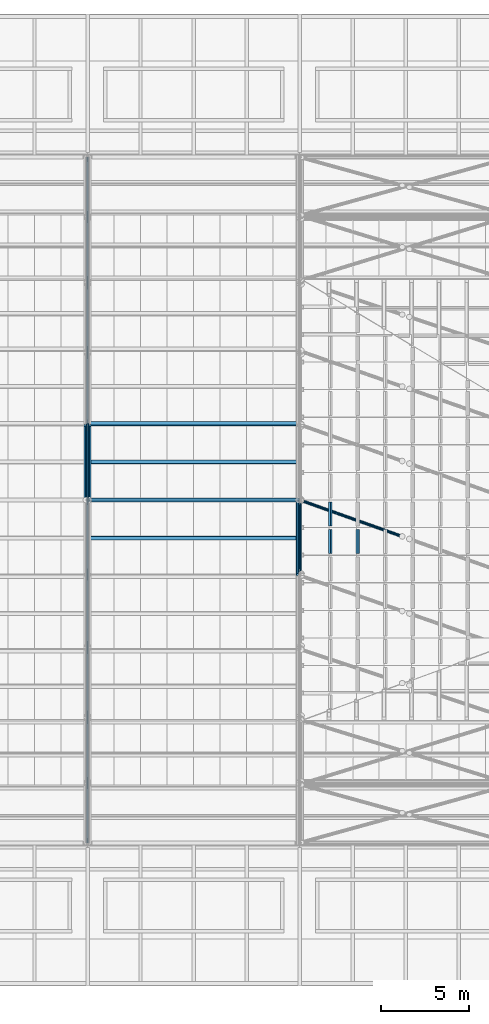
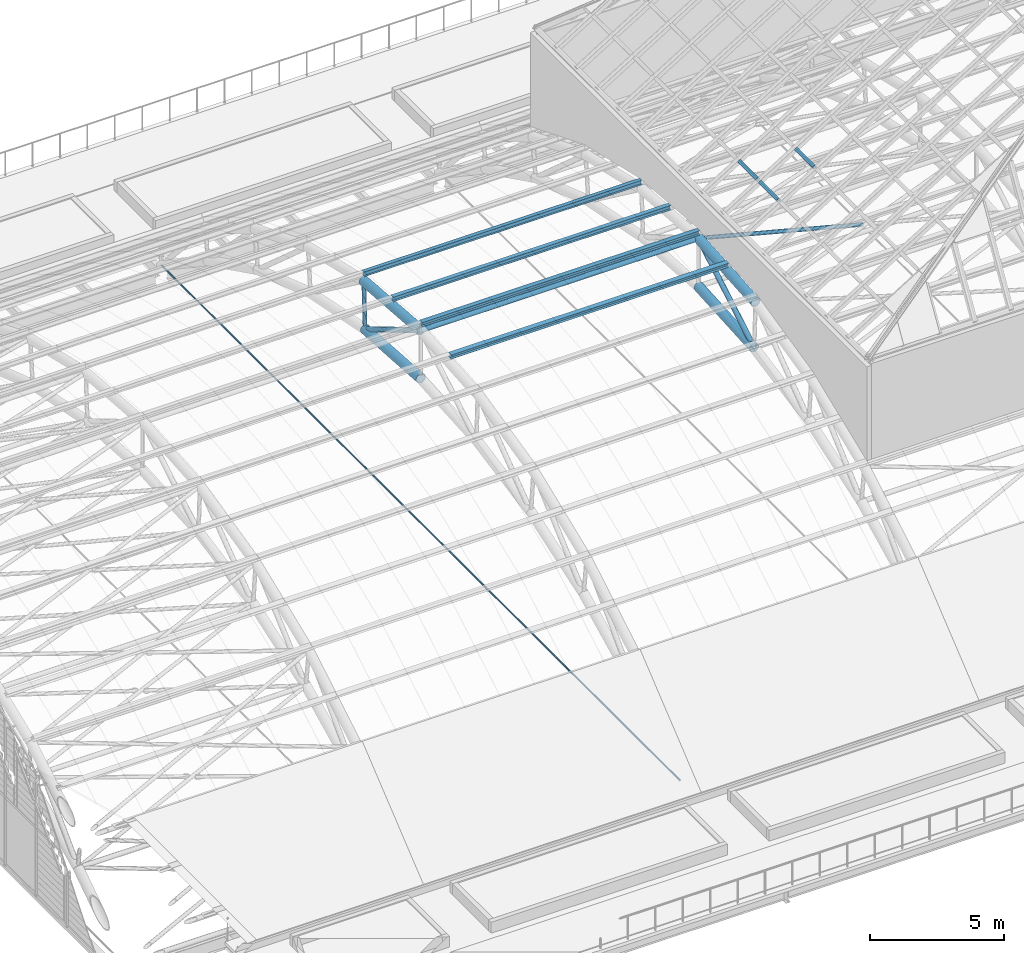
# One storey, part 18 of 110: 17 members.
"""IFC4 building model written with IfcOpenShell, lengths in metres."""

from ifc_helpers import new_model, si_unit, direction, frame, origin, origin_2d, place, context, subcontext, project, spatial, hollow_rectangle, circle, hollow_circle, i_section, extrude, material, material_profile, profile_set, type_object, element, save


model = new_model("IFC4")

# Units and contexts
model_context = context("Model", 3, precision=1e-05, world=origin(), true_north=direction((0.0, 1.0)))
body_context = subcontext(model_context, "Body", "Model", "MODEL_VIEW")
ifc_project = project(units=[si_unit("LENGTHUNIT", "METRE"), si_unit("AREAUNIT", "SQUARE_METRE"), si_unit("VOLUMEUNIT", "CUBIC_METRE"), si_unit("PLANEANGLEUNIT", "RADIAN"), si_unit("MASSUNIT", "GRAM", prefix="KILO")], contexts=[model_context])

# Site, building, storey
site_placement = place(None, origin())
site = spatial("IfcSite", under=ifc_project, at=site_placement, CompositionType="ELEMENT")
building_placement = place(site_placement, origin())
building = spatial("IfcBuilding", under=site, at=building_placement, Name="Windward Yard Aquatics Centre", CompositionType="ELEMENT")
storey_placement = place(building_placement, frame((0.0, 0.0, 22.60009765625)))
storey = spatial("IfcBuildingStorey", under=building, at=storey_placement, Name="L05", CompositionType="ELEMENT", Elevation=22.60009765625)

# Members
ifc_material_1 = material(Name="Steel ASTM A500 Gr C", Category="steel")
ifc_material_profile_1 = material_profile(ifc_material_1, hollow_circle(Radius=0.084228515625, WallThickness=0.010986328125, at=origin_2d()), Name="HSS168.3X11")
ifc_profile_set_1 = profile_set([ifc_material_profile_1], Name="Steel ASTM A500 Gr C")
member_type_1 = type_object("IfcMemberType", Name="H arch post HSS168.3X11", PredefinedType="POST", material=ifc_profile_set_1)
member_1_placement = place(storey_placement, frame((84.0, 65.16064453125, 6.323486328125), z_axis=(0.0, 0.050215263417, 0.998738417865), x_axis=(-1.0, 0.0, 0.0)))
element("IfcMember", 1, at=member_1_placement, inside=storey, type_object=member_type_1, Name="H.AT.3.WP07", PredefinedType="POST", context=body_context, shape_type="SweptSolid", body=[
    extrude(hollow_circle(Radius=0.084228515625, WallThickness=0.010986328125, at=origin_2d()), origin(), (0.0, 0.0, 1.0), 2.14892578125),
])
ifc_material_profile_2 = material_profile(ifc_material_1, hollow_circle(Radius=0.203125, WallThickness=0.015869140625, at=origin_2d()), Name="HSS406.4X15.9")
ifc_profile_set_2 = profile_set([ifc_material_profile_2], Name="Steel ASTM A500 Gr C")
member_type_2 = type_object("IfcMemberType", Name="H arch top chord HSS406.4X15.9", PredefinedType="CHORD", material=ifc_profile_set_2)
member_2_placement = place(storey_placement, frame((84.0, 61.0, 8.796630859375), z_axis=(0.0, 0.997080259355, -0.076360699341), x_axis=(-1.0, 0.0, 0.0)))
element("IfcMember", 2, at=member_2_placement, inside=storey, type_object=member_type_2, Name="H.AT.3.TC06", PredefinedType="CHORD", context=body_context, shape_type="SweptSolid", body=[
    extrude(hollow_circle(Radius=0.203125, WallThickness=0.015869140625, at=origin_2d()), origin(), (0.0, 0.0, 1.0), 4.281005859375),
])
member_3_placement = place(storey_placement, frame((84.0, 61.0, 6.5966796875), z_axis=(0.0, 0.997851241995, -0.065520217098), x_axis=(-1.0, 0.0, 0.0)))
element("IfcMember", 3, at=member_3_placement, inside=storey, type_object=member_type_2, Name="H.AT.3.BC06", PredefinedType="CHORD", context=body_context, shape_type="SweptSolid", body=[
    extrude(hollow_circle(Radius=0.203125, WallThickness=0.015869140625, at=origin_2d()), origin(), (0.0, 0.0, 1.0), 4.169677734375),
])
member_4_placement = place(storey_placement, frame((96.0, 56.7314453125, 8.4697265625), z_axis=(0.0, 0.997080259355, 0.076360699341), x_axis=(-1.0, 0.0, 0.0)))
element("IfcMember", 4, at=member_4_placement, inside=storey, type_object=member_type_2, Name="H.AT.4.TC05", PredefinedType="CHORD", context=body_context, shape_type="SweptSolid", body=[
    extrude(hollow_circle(Radius=0.203125, WallThickness=0.015869140625, at=origin_2d()), origin(), (0.0, 0.0, 1.0), 4.281005859375),
])
member_5_placement = place(storey_placement, frame((96.0, 56.83935546875, 6.323486328125), z_axis=(0.0, 0.997851241995, 0.065520217098), x_axis=(-1.0, 0.0, 0.0)))
element("IfcMember", 5, at=member_5_placement, inside=storey, type_object=member_type_2, Name="H.AT.4.BC05", PredefinedType="CHORD", context=body_context, shape_type="SweptSolid", body=[
    extrude(hollow_circle(Radius=0.203125, WallThickness=0.015869140625, at=origin_2d()), origin(), (0.0, 0.0, 1.0), 4.169677734375),
])
ifc_material_profile_3 = material_profile(ifc_material_1, hollow_circle(Radius=0.109619140625, WallThickness=0.00830078125, at=origin_2d()), Name="HSS219.1X8.2")
ifc_profile_set_3 = profile_set([ifc_material_profile_3], Name="Steel ASTM A500 Gr C")
member_type_3 = type_object("IfcMemberType", Name="H arch web diagonal HSS219.1X8.2", PredefinedType="BRACE", material=ifc_profile_set_3)
for number, where, z_axis, x_axis, name in (
    (6, (84.0, 61.0, 8.796630859375), (0.0, 0.859604150376, -0.51096057055), (-1.0, 0.0, 0.0), "H.AT.3.WD06"),
    (7, (96.0, 56.83935546875, 6.323486328125), (0.0, 0.859604150376, 0.51096057055), (-1.0, 0.0, 0.0), "H.AT.4.WD05"),
):
    element("IfcMember", number, at=place(storey_placement, frame(where, z_axis=z_axis, x_axis=x_axis)), inside=storey, type_object=member_type_3, Name=name, PredefinedType="BRACE", context=body_context, shape_type="SweptSolid", body=[
        extrude(hollow_circle(Radius=0.109619140625, WallThickness=0.00830078125, at=origin_2d()), origin(), (0.0, 0.0, 1.0), 4.840087890625),
    ])
ifc_material_profile_4 = material_profile(ifc_material_1, hollow_rectangle(XDim=0.15234375, YDim=0.15234375, WallThickness=0.009521484375, InnerFilletRadius=0.004638671875, OuterFilletRadius=0.01416015625, at=origin_2d()), Name="HSS152X152X9.5")
ifc_profile_set_4 = profile_set([ifc_material_profile_4], Name="Steel ASTM A500 Gr C")
member_type_4 = type_object("IfcMemberType", Name="H lantern purlin HSS152X152X9.5", PredefinedType="PURLIN", material=ifc_profile_set_4)
member_6_placement = place(storey_placement, frame((97.715576171875, 57.979248046875, 11.76025390625), z_axis=(0.0, 1.0, 0.0), x_axis=(-0.850755160219, 0.0, -0.525562229771)))
element("IfcMember", 8, at=member_6_placement, inside=storey, type_object=member_type_4, Name="H.LN.U.04.01.07", PredefinedType="PURLIN", context=body_context, shape_type="SweptSolid", body=[
    extrude(hollow_rectangle(XDim=0.15234375, YDim=0.15234375, WallThickness=0.009521484375, InnerFilletRadius=0.004638671875, OuterFilletRadius=0.01416015625, at=origin_2d()), origin(), (0.0, 0.0, 1.0), 1.35791015625),
])
member_7_placement = place(storey_placement, frame((97.715576171875, 59.540283203125, 11.76025390625), z_axis=(0.0, 1.0, 0.0), x_axis=(-0.850755160219, 0.0, -0.525562229771)))
element("IfcMember", 9, at=member_7_placement, inside=storey, type_object=member_type_4, Name="H.LN.U.04.01.08", PredefinedType="PURLIN", context=body_context, shape_type="SweptSolid", body=[
    extrude(hollow_rectangle(XDim=0.15234375, YDim=0.15234375, WallThickness=0.009521484375, InnerFilletRadius=0.004638671875, OuterFilletRadius=0.01416015625, at=origin_2d()), origin(), (0.0, 0.0, 1.0), 1.358154296875),
])
member_8_placement = place(storey_placement, frame((99.27197265625, 57.979248046875, 12.721923828125), z_axis=(0.0, 1.0, 0.0), x_axis=(-0.850755160219, 0.0, -0.525562229771)))
element("IfcMember", 10, at=member_8_placement, inside=storey, type_object=member_type_4, Name="H.LN.U.04.02.07", PredefinedType="PURLIN", context=body_context, shape_type="SweptSolid", body=[
    extrude(hollow_rectangle(XDim=0.15234375, YDim=0.15234375, WallThickness=0.009521484375, InnerFilletRadius=0.004638671875, OuterFilletRadius=0.01416015625, at=origin_2d()), origin(), (0.0, 0.0, 1.0), 1.35791015625),
])
ifc_material_profile_5 = material_profile(ifc_material_1, hollow_circle(Radius=0.084228515625, WallThickness=0.007080078125, at=origin_2d()), Name="HSS168.3X7.1")
ifc_profile_set_5 = profile_set([ifc_material_profile_5], Name="Steel ASTM A500 Gr C")
member_type_5 = type_object("IfcMemberType", Name="H roof brace HSS168.3X7.1", PredefinedType="BRACE", material=ifc_profile_set_5)
member_9_placement = place(storey_placement, frame((96.0, 61.0, 8.796630859375), z_axis=(0.941857174882, -0.33503428172, -0.025633809606), x_axis=(0.335144410202, 0.942166770965, 0.0)))
element("IfcMember", 11, at=member_9_placement, inside=storey, type_object=member_type_5, Name="H.RB.4.T05B1", PredefinedType="BRACE", context=body_context, shape_type="SweptSolid", body=[
    extrude(hollow_circle(Radius=0.084228515625, WallThickness=0.007080078125, at=origin_2d()), origin(), (0.0, 0.0, 1.0), 6.25732421875),
])
ifc_material_2 = material(Name="Steel ASTM A992 Gr 50", Category="steel")
ifc_material_profile_6 = material_profile(ifc_material_2, i_section(OverallWidth=0.202880859375, OverallDepth=0.202880859375, WebThickness=0.00732421875, FlangeThickness=0.010986328125, at=origin_2d()), Name="W200X46.1")
ifc_profile_set_6 = profile_set([ifc_material_profile_6], Name="Steel ASTM A992 Gr 50")
member_type_6 = type_object("IfcMemberType", Name="H roof purlin W200X46.1", PredefinedType="PURLIN", material=ifc_profile_set_6)
for number, where, z_axis, x_axis, name in (
    (12, (84.0, 58.842529296875, 8.93701171875), (1.0, 0.0, 0.0), (0.0, 0.997080793073, 0.076353729998), "H.PU.3.10"),
    (13, (84.0, 61.0, 9.101318359375), (1.0, 0.0, 0.0), (0.0, 1.0, 0.0), "H.PU.3.11"),
    (14, (84.0, 63.157470703125, 8.93701171875), (1.0, 0.0, 0.0), (0.0, 0.997080793073, -0.076353729998), "H.PU.3.12"),
    (15, (84.0, 65.31494140625, 8.77099609375), (1.0, 0.0, 0.0), (0.0, 0.988340215831, -0.152261675321), "H.PU.3.13"),
):
    element("IfcMember", number, at=place(storey_placement, frame(where, z_axis=z_axis, x_axis=x_axis)), inside=storey, type_object=member_type_6, Name=name, PredefinedType="PURLIN", context=body_context, shape_type="SweptSolid", body=[
        extrude(i_section(OverallWidth=0.202880859375, OverallDepth=0.202880859375, WebThickness=0.00732421875, FlangeThickness=0.010986328125, at=origin_2d()), origin(), (0.0, 0.0, 1.0), 12.0),
    ])
ifc_material_profile_7 = material_profile(ifc_material_1, hollow_circle(Radius=0.109619140625, WallThickness=0.00830078125, at=origin_2d()), Name="HSS219.1X8.2")
ifc_profile_set_7 = profile_set([ifc_material_profile_7], Name="Steel ASTM A500 Gr C")
member_type_7 = type_object("IfcMemberType", Name="H roof strut HSS219.1X8.2", PredefinedType="STRUT", material=ifc_profile_set_7)
member_10_placement = place(storey_placement, frame((84.0, 61.0, 8.796630859375), z_axis=(1.0, 0.0, 0.0), x_axis=(0.0, 1.0, 0.0)))
element("IfcMember", 16, at=member_10_placement, inside=storey, type_object=member_type_7, Name="H.RS.3.T06", PredefinedType="STRUT", context=body_context, shape_type="SweptSolid", body=[
    extrude(hollow_circle(Radius=0.109619140625, WallThickness=0.00830078125, at=origin_2d()), origin(), (0.0, 0.0, 1.0), 12.0),
])
ifc_material_3 = material(Name="Steel ASTM A36", Category="steel")
ifc_material_profile_8 = material_profile(ifc_material_3, circle(Radius=0.0380859375, at=origin_2d()), Name="ROD76")
ifc_profile_set_8 = profile_set([ifc_material_profile_8], Name="Steel ASTM A36")
member_type_8 = type_object("IfcMemberType", Name="H tie rod ROD76", PredefinedType="STRUT", material=ifc_profile_set_8)
member_11_placement = place(storey_placement, frame((84.0, 41.60009765625, 0.0), z_axis=(0.0, 1.0, 0.0), x_axis=(-1.0, 0.0, 0.0)))
element("IfcMember", 17, at=member_11_placement, inside=storey, type_object=member_type_8, Name="H.AT.3.TR", PredefinedType="STRUT", context=body_context, shape_type="SweptSolid", body=[
    extrude(circle(Radius=0.0380859375, at=origin_2d()), origin(), (0.0, 0.0, 1.0), 38.7998046875),
])

save(model, "model.ifc")
